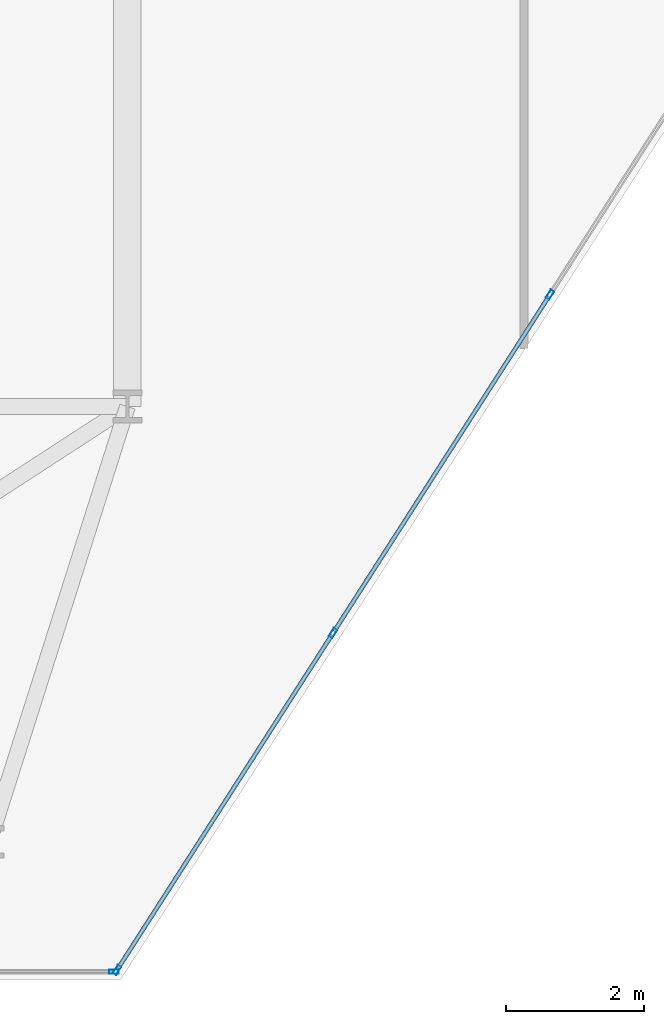
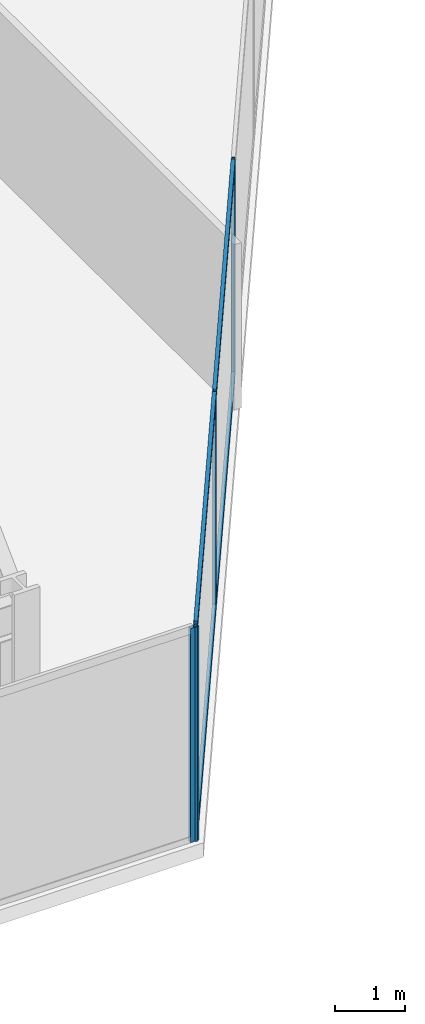
# One storey, part 7 of 26: 8 members, 2 elements without a shape of their own.
"""IFC4 building model written with IfcOpenShell, lengths in metres."""

from ifc_helpers import new_model, si_unit, direction, frame, origin, origin_2d, place, context, subcontext, project, spatial, hollow_rectangle, extrude, material, layer, layer_set, material_profile, profile_set, type_object, element, aggregate, save


model = new_model("IFC4")

# Units and contexts
model_context = context("Model", 3, precision=1e-05, world=origin(), true_north=direction((0.0, 1.0)))
body_context = subcontext(model_context, "Body", "Model", "MODEL_VIEW")
ifc_project = project(units=[si_unit("LENGTHUNIT", "METRE"), si_unit("AREAUNIT", "SQUARE_METRE"), si_unit("VOLUMEUNIT", "CUBIC_METRE"), si_unit("PLANEANGLEUNIT", "RADIAN"), si_unit("MASSUNIT", "GRAM", prefix="KILO")], contexts=[model_context])

# Site, building, storey
site_placement = place(None, origin())
site = spatial("IfcSite", under=ifc_project, at=site_placement, CompositionType="ELEMENT")
building_placement = place(site_placement, origin())
building = spatial("IfcBuilding", under=site, at=building_placement, Name="Kravanh Interchange Tower", CompositionType="ELEMENT")
storey_placement = place(building_placement, frame((0.0, 0.0, 112.0)))
storey = spatial("IfcBuildingStorey", under=building, at=storey_placement, Name="L26", CompositionType="ELEMENT", Elevation=112.0)

# Curtain wall, members
ifc_material_1 = material(Name="Anodised Bronze Aluminium", Category="aluminium")
ifc_layer = layer(ifc_material_1, 0.179931640625)
ifc_layer_set = layer_set([ifc_layer], Name="Unitised Curtain Wall System CW-Z2 Mid Office")
curtain_wall_type = type_object("IfcCurtainWallType", Name="Unitised Curtain Wall System CW-Z2 Mid Office", PredefinedType="NOTDEFINED", material=ifc_layer_set)
curtain_wall_1_placement = place(storey_placement, origin())
curtain_wall_1 = element("IfcCurtainWall", 1, at=curtain_wall_1_placement, inside=storey, type_object=curtain_wall_type, Name="L26 Unitised Curtain Wall CW-L26-05", PredefinedType="NOTDEFINED")
ifc_material_2 = material(Name="Anodised Bronze Aluminium", Category="aluminium")
ifc_material_profile_1 = material_profile(ifc_material_2, hollow_rectangle(XDim=0.06005859375, YDim=0.139892578125, WallThickness=0.00390625, at=origin_2d()), Name="ALU60X140X4")
ifc_profile_set_1 = profile_set([ifc_material_profile_1], Name="Anodised Bronze Aluminium")
member_type_1 = type_object("IfcMemberType", Name="Curtain Wall Mullion ALU60X140X4 Bronze", PredefinedType="MULLION", material=ifc_profile_set_1)
member_1_placement = place(storey_placement, frame((33.317138671875, 16.12109375, 0.0), z_axis=(0.0, 0.0, 1.0), x_axis=(0.841879939476, -0.539664865919, 0.0)))
member_1 = element("IfcMember", 2, at=member_1_placement, type_object=member_type_1, Name="CW-Z2 mullion 3", PredefinedType="MULLION", context=body_context, shape_type="SweptSolid", body=[
    extrude(hollow_rectangle(XDim=0.06005859375, YDim=0.139892578125, WallThickness=0.00390625, at=origin_2d()), origin(), (0.0, 0.0, 1.0), 3.75),
])
member_2_placement = place(storey_placement, frame((30.17578125, 11.220703125, 0.0), z_axis=(0.0, 0.0, 1.0), x_axis=(0.841879939476, -0.539664865919, 0.0)))
member_2 = element("IfcMember", 3, at=member_2_placement, type_object=member_type_1, Name="CW-Z2 mullion 4", PredefinedType="MULLION", context=body_context, shape_type="SweptSolid", body=[
    extrude(hollow_rectangle(XDim=0.06005859375, YDim=0.139892578125, WallThickness=0.00390625, at=origin_2d()), origin(), (0.0, 0.0, 1.0), 3.75),
])
member_3_placement = place(storey_placement, frame((27.050537109375, 6.34521484375, 0.0), z_axis=(0.0, 0.0, 1.0), x_axis=(0.841879939476, -0.539664865919, 0.0)))
member_3 = element("IfcMember", 4, at=member_3_placement, type_object=member_type_1, Name="CW-Z2 mullion 5", PredefinedType="MULLION", context=body_context, shape_type="SweptSolid", body=[
    extrude(hollow_rectangle(XDim=0.06005859375, YDim=0.139892578125, WallThickness=0.00390625, at=origin_2d()), origin(), (0.0, 0.0, 1.0), 3.75),
])

# Curtain wall, member
curtain_wall_2_placement = place(storey_placement, origin())
curtain_wall_2 = element("IfcCurtainWall", 5, at=curtain_wall_2_placement, inside=storey, type_object=curtain_wall_type, Name="L26 Unitised Curtain Wall CW-L26-06", PredefinedType="NOTDEFINED")
member_4_placement = place(storey_placement, frame((27.00439453125, 6.320068359375, 0.0), z_axis=(0.0, 0.0, 1.0), x_axis=(0.0, -1.0, 0.0)))
member_4 = element("IfcMember", 6, at=member_4_placement, type_object=member_type_1, Name="CW-Z2 mullion 1", PredefinedType="MULLION", context=body_context, shape_type="SweptSolid", body=[
    extrude(hollow_rectangle(XDim=0.06005859375, YDim=0.139892578125, WallThickness=0.00390625, at=origin_2d()), origin(), (0.0, 0.0, 1.0), 3.75),
])
aggregate(curtain_wall_2, [member_4])

# Member
ifc_material_3 = material(Name="Anodised Bronze Aluminium", Category="aluminium")
ifc_material_profile_2 = material_profile(ifc_material_3, hollow_rectangle(XDim=0.06005859375, YDim=0.139892578125, WallThickness=0.00390625, at=origin_2d()), Name="ALU60X140X4")
ifc_profile_set_2 = profile_set([ifc_material_profile_2], Name="Anodised Bronze Aluminium")
member_type_2 = type_object("IfcMemberType", Name="Curtain Wall Transom ALU60X140X4 Bronze", PredefinedType="USERDEFINED", material=ifc_profile_set_2)
member_5_placement = place(storey_placement, frame((33.301025390625, 16.095947265625, 0.030029296875), z_axis=(-0.539677666788, -0.84187173368, 0.0), x_axis=(0.84187173368, -0.539677666788, 0.0)))
member_5 = element("IfcMember", 7, at=member_5_placement, type_object=member_type_2, Name="CW-Z2 transom 3.1", ObjectType="TRANSOM", PredefinedType="USERDEFINED", context=body_context, shape_type="SweptSolid", body=[
    extrude(hollow_rectangle(XDim=0.06005859375, YDim=0.139892578125, WallThickness=0.00390625, at=origin_2d()), origin(), (0.0, 0.0, 1.0), 5.760986328125),
])

member_6_placement = place(storey_placement, frame((33.301025390625, 16.095947265625, 3.719970703125), z_axis=(-0.539677666788, -0.84187173368, 0.0), x_axis=(0.84187173368, -0.539677666788, 0.0)))
member_6 = element("IfcMember", 8, at=member_6_placement, type_object=member_type_2, Name="CW-Z2 transom 3.2", ObjectType="TRANSOM", PredefinedType="USERDEFINED", context=body_context, shape_type="SweptSolid", body=[
    extrude(hollow_rectangle(XDim=0.06005859375, YDim=0.139892578125, WallThickness=0.00390625, at=origin_2d()), origin(), (0.0, 0.0, 1.0), 5.760986328125),
])

member_7_placement = place(storey_placement, frame((30.15966796875, 11.1953125, 0.030029296875), z_axis=(-0.53966766312, -0.841878146398, 0.0), x_axis=(0.841878146398, -0.53966766312, 0.0)))
member_7 = element("IfcMember", 9, at=member_7_placement, type_object=member_type_2, Name="CW-Z2 transom 4.1", ObjectType="TRANSOM", PredefinedType="USERDEFINED", context=body_context, shape_type="SweptSolid", body=[
    extrude(hollow_rectangle(XDim=0.06005859375, YDim=0.139892578125, WallThickness=0.00390625, at=origin_2d()), origin(), (0.0, 0.0, 1.0), 5.73095703125),
])

member_8_placement = place(storey_placement, frame((30.15966796875, 11.1953125, 3.719970703125), z_axis=(-0.53966766312, -0.841878146398, 0.0), x_axis=(0.841878146398, -0.53966766312, 0.0)))
member_8 = element("IfcMember", 10, at=member_8_placement, type_object=member_type_2, Name="CW-Z2 transom 4.2", ObjectType="TRANSOM", PredefinedType="USERDEFINED", context=body_context, shape_type="SweptSolid", body=[
    extrude(hollow_rectangle(XDim=0.06005859375, YDim=0.139892578125, WallThickness=0.00390625, at=origin_2d()), origin(), (0.0, 0.0, 1.0), 5.73095703125),
])

aggregate(curtain_wall_1, [member_1, member_2, member_3, member_5, member_6, member_7, member_8])

save(model, "model.ifc")
